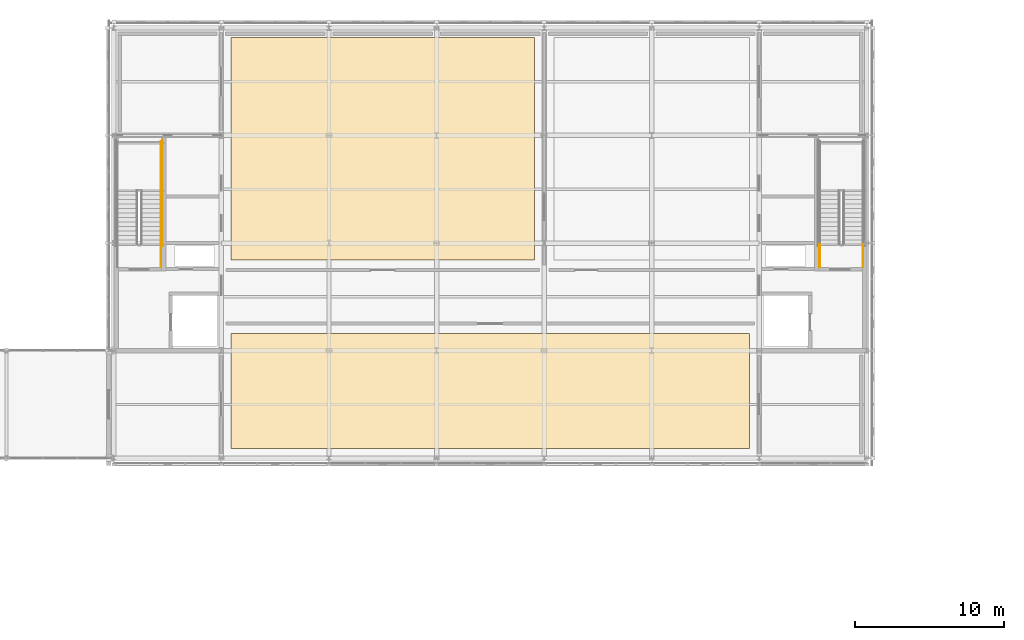
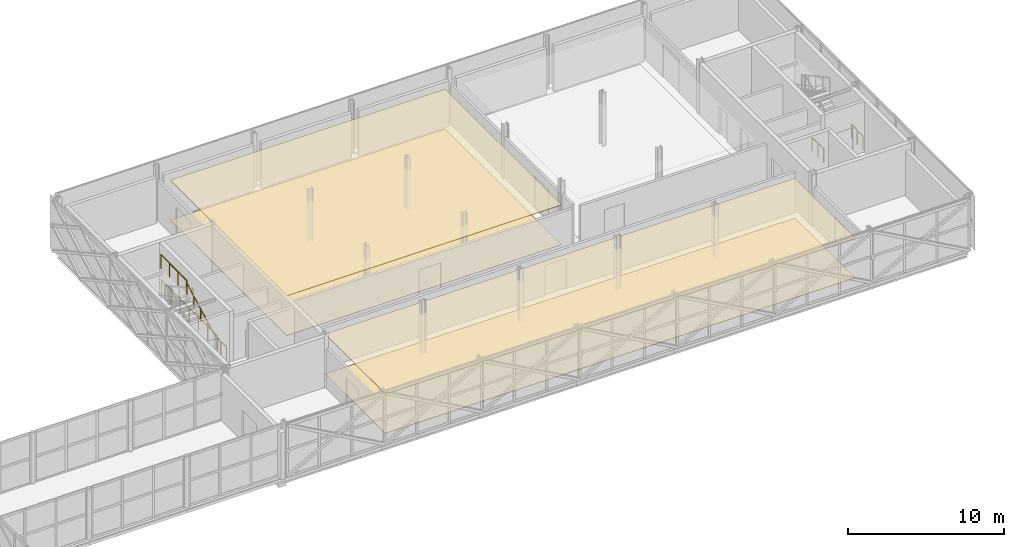
# One storey, part 101 of 103: 6 railings, 4 coverings.
"""IFC4 building model written with IfcOpenShell, lengths in metres."""

import ifcopenshell
import ifcopenshell.guid

model = None  # the IFC model being written
_history = None  # IfcOwnerHistory: only IFC2X3 demands one
_inside = {}  # id of a spatial element -> (the spatial element, [elements in it])
_under = {}  # id of a project, library or spatial element -> (it, [spatial elements below it])
_declared = {}  # id of a project -> (the project, [libraries it declares])
_typed = {}  # id of a type object -> (the type object, [elements of that type])
_made_of = {}  # id of a material, layer set ... -> (it, [elements and type objects made of it])


def new_model(schema):
    """Start an empty IFC model of exactly this schema.

    Asked for "IFC4X3", IfcOpenShell would pick the latest addendum, in which some entities
    have other attributes; the version numbers below select the first issue.
    IFC2X3 requires an IfcOwnerHistory on every rooted entity: one is made here for all.
    """
    global model, _history
    if schema == "IFC4X3":
        model = ifcopenshell.file(schema_version=(4, 3, 0, 0))
    else:
        model = ifcopenshell.file(schema=schema)
    _inside.clear()
    _under.clear()
    _declared.clear()
    _typed.clear()
    _made_of.clear()
    _history = None
    if model.schema == "IFC2X3":
        org = make("IfcOrganization", Name="unknown")
        user = make(
            "IfcPersonAndOrganization",
            ThePerson=make("IfcPerson", FamilyName="unknown"),
            TheOrganization=org,
        )
        app = make(
            "IfcApplication",
            ApplicationDeveloper=org,
            Version="unknown",
            ApplicationFullName="unknown",
            ApplicationIdentifier="unknown",
        )
        _history = make(
            "IfcOwnerHistory",
            OwningUser=user,
            OwningApplication=app,
            ChangeAction="ADDED",
            CreationDate=0,
        )
    return model


def make(cls, **values):
    """One entity of the class cls with the attributes given. An attribute that is None is left unset."""
    return model.create_entity(
        cls, **{name: value for name, value in values.items() if value is not None}
    )


def rooted(cls, **values):
    """An entity with a GlobalId (a new one), such as an element, a storey or a relation."""
    return make(cls, GlobalId=ifcopenshell.guid.new(), OwnerHistory=_history, **values)


def si_unit(unit_type, name, prefix=None):
    """IfcSIUnit, for example si_unit("LENGTHUNIT", "METRE", prefix="MILLI")."""
    return make("IfcSIUnit", UnitType=unit_type, Prefix=prefix, Name=name)


def assignment(units):
    """IfcUnitAssignment: the units of a project."""
    return None if units is None else make("IfcUnitAssignment", Units=units)


def point(xyz):
    """IfcCartesianPoint."""
    return None if xyz is None else make("IfcCartesianPoint", Coordinates=xyz)


def direction(xyz):
    """IfcDirection."""
    return None if xyz is None else make("IfcDirection", DirectionRatios=xyz)


def frame(location, z_axis=None, x_axis=None):
    """IfcAxis2Placement3D, a coordinate frame: its origin and axes. An axis left out is left unset."""
    return make(
        "IfcAxis2Placement3D",
        Location=point(location),
        Axis=direction(z_axis),
        RefDirection=direction(x_axis),
    )


def frame_2d(location, x_axis=None):
    """IfcAxis2Placement2D, a coordinate frame in the plane: its origin and x axis."""
    return make(
        "IfcAxis2Placement2D", Location=point(location), RefDirection=direction(x_axis)
    )


def origin():
    """The frame at (0, 0, 0) with its axes left unset."""
    return frame((0.0, 0.0, 0.0))


def origin_2d():
    """The frame at (0, 0) in the plane with its x axis left unset."""
    return frame_2d((0.0, 0.0))


def place(relative_to, where):
    """IfcLocalPlacement: puts the frame where relative to a parent placement (None: the world)."""
    return make(
        "IfcLocalPlacement", PlacementRelTo=relative_to, RelativePlacement=where
    )


def context(
    kind, dimensions, precision=None, world=None, true_north=None, identifier=None
):
    """IfcGeometricRepresentationContext, for example the 3D "Model" context."""
    return make(
        "IfcGeometricRepresentationContext",
        ContextIdentifier=identifier,
        ContextType=kind,
        CoordinateSpaceDimension=dimensions,
        Precision=precision,
        WorldCoordinateSystem=world,
        TrueNorth=true_north,
    )


def subcontext(parent, identifier, kind, view, scale=None):
    """IfcGeometricRepresentationSubContext, for example "Body" below "Model"."""
    return make(
        "IfcGeometricRepresentationSubContext",
        ContextIdentifier=identifier,
        ContextType=kind,
        ParentContext=parent,
        TargetScale=scale,
        TargetView=view,
    )


def project(units=None, contexts=None):
    """IfcProject with its units and contexts."""
    return rooted(
        "IfcProject",
        Name="project",
        RepresentationContexts=contexts,
        UnitsInContext=assignment(units),
    )


def spatial(cls, under=None, at=None, **own):
    """A site, building, storey or space (cls), placed at a placement, below another one or the project."""
    s = rooted(cls, ObjectPlacement=at, **own)
    if under is not None:
        _under.setdefault(under.id(), (under, []))[1].append(s)
    return s


def polyline(points):
    """IfcPolyline through the points."""
    return make("IfcPolyline", Points=[point(p) for p in points])


def profile(cls, at=None, kind="AREA", **sizes):
    """A parametric profile (cls). Its sizes go by their IFC names, for example OverallWidth=200.0."""
    return make(cls, ProfileType=kind, Position=at, **sizes)


def circle(**sizes):
    """IfcCircleProfileDef."""
    return profile("IfcCircleProfileDef", **sizes)


def outline(outer, holes=None, kind="AREA"):
    """IfcArbitraryClosedProfileDef: a profile drawn as a closed curve; with holes, ...WithVoids."""
    if holes is None:
        return make("IfcArbitraryClosedProfileDef", ProfileType=kind, OuterCurve=outer)
    return make(
        "IfcArbitraryProfileDefWithVoids",
        ProfileType=kind,
        OuterCurve=outer,
        InnerCurves=holes,
    )


def extrude(swept, where, along, depth):
    """IfcExtrudedAreaSolid: the profile swept, set in the frame where, extruded along a direction by depth."""
    return make(
        "IfcExtrudedAreaSolid",
        SweptArea=swept,
        Position=where,
        ExtrudedDirection=direction(along),
        Depth=depth,
    )


def shape(context_of_items, identifier, shape_type, items):
    """IfcShapeRepresentation: the items that make up one representation, for example the "Body"."""
    return make(
        "IfcShapeRepresentation",
        ContextOfItems=context_of_items,
        RepresentationIdentifier=identifier,
        RepresentationType=shape_type,
        Items=items,
    )


def material(Name=None, Category=None):
    """IfcMaterial."""
    return make("IfcMaterial", Name=Name, Category=Category)


def layer(
    of_material, thickness, ventilated=None, Name=None, Category=None, Priority=None
):
    """IfcMaterialLayer: one layer of a wall or slab, of a material (None: an air gap)."""
    return make(
        "IfcMaterialLayer",
        Material=of_material,
        LayerThickness=thickness,
        IsVentilated=ventilated,
        Name=Name,
        Category=Category,
        Priority=Priority,
    )


def layer_set(layers, Name=None):
    """IfcMaterialLayerSet."""
    return make("IfcMaterialLayerSet", MaterialLayers=layers, LayerSetName=Name)


def made_of(thing, what):
    """Note that an element or type object is made of a material, layer set ...; save() writes the relation."""
    if what is not None:
        _made_of.setdefault(what.id(), (what, []))[1].append(thing)
    return thing


def type_object(cls, material=None, **own):
    """A type object (cls), such as IfcWallType, which elements share."""
    return made_of(rooted(cls, **own), material)


def element(
    cls,
    number,
    at=None,
    inside=None,
    cuts=None,
    type_object=None,
    material=None,
    context=None,
    identifier="Body",
    shape_type=None,
    held_by="IfcProductDefinitionShape",
    body=None,
    shapes=None,
    **own,
):
    """One element of the class cls, such as IfcWall. Its Tag is "e" and its number.

    at: its placement. inside: the storey or other place that contains it. cuts: it is an
    opening in that element (IfcRelVoidsElement). A single representation is given by context,
    identifier, shape_type and body (its items); several are given by shapes. held_by: the class
    of the entity that holds the representations. save() writes the other relations.
    """
    e = rooted(cls, Tag="e%d" % number, ObjectPlacement=at, **own)
    if body is not None:
        shapes = [shape(context, identifier, shape_type, body)]
    if shapes is not None:
        e.Representation = make(held_by, Representations=shapes)
    if inside is not None:
        _inside.setdefault(inside.id(), (inside, []))[1].append(e)
    if cuts is not None:
        rooted(
            "IfcRelVoidsElement", RelatingBuildingElement=cuts, RelatedOpeningElement=e
        )
    if type_object is not None:
        _typed.setdefault(type_object.id(), (type_object, []))[1].append(e)
    return made_of(e, material)


def aggregate(whole, parts):
    """IfcRelAggregates: a whole, such as a stair, and the parts it consists of."""
    return rooted("IfcRelAggregates", RelatingObject=whole, RelatedObjects=parts)


def save(model, path):
    """Write the relations noted so far, then the file.

    IfcRelAggregates (storeys below a building ...), IfcRelContainedInSpatialStructure (elements
    in a storey), IfcRelDefinesByType, IfcRelAssociatesMaterial and IfcRelDeclares: one each for
    every whole, place, type object, material and project.
    """
    for whole, parts in _under.values():
        aggregate(whole, parts)
    for where, things in _inside.values():
        rooted(
            "IfcRelContainedInSpatialStructure",
            RelatedElements=things,
            RelatingStructure=where,
        )
    for kind, things in _typed.values():
        rooted("IfcRelDefinesByType", RelatedObjects=things, RelatingType=kind)
    for what, things in _made_of.values():
        rooted("IfcRelAssociatesMaterial", RelatedObjects=things, RelatingMaterial=what)
    for by, libraries in _declared.values():
        rooted("IfcRelDeclares", RelatingContext=by, RelatedDefinitions=libraries)
    model.write(path)


model = new_model("IFC4")

# Units and contexts
model_context = context("Model", 3, precision=1e-05, world=origin(), true_north=direction((0.0, 1.0)))
body_context = subcontext(model_context, "Body", "Model", "MODEL_VIEW")
ifc_project = project(units=[si_unit("LENGTHUNIT", "METRE"), si_unit("AREAUNIT", "SQUARE_METRE"), si_unit("VOLUMEUNIT", "CUBIC_METRE"), si_unit("PLANEANGLEUNIT", "RADIAN"), si_unit("MASSUNIT", "GRAM", prefix="KILO")], contexts=[model_context])

# Site, building, storey
site_placement = place(None, origin())
site = spatial("IfcSite", under=ifc_project, at=site_placement, CompositionType="ELEMENT")
building_placement = place(site_placement, origin())
building = spatial("IfcBuilding", under=site, at=building_placement, Name="Zlatovets Crest Museum", CompositionType="ELEMENT")
storey_placement = place(building_placement, frame((0.0, 0.0, 12.89990234375)))
storey = spatial("IfcBuildingStorey", under=building, at=storey_placement, Name="L03", CompositionType="ELEMENT", Elevation=12.89990234375)

# Coverings
ifc_material_1 = material(Name="Micro-perforated gypsum acoustic gallery ceiling")
ifc_layer_1 = layer(ifc_material_1, 0.050048828125)
ifc_layer_set_1 = layer_set([ifc_layer_1], Name="Micro-perforated gypsum acoustic gallery ceiling")
covering_type_1 = type_object("IfcCoveringType", Name="GalleryCeiling_CLG1", PredefinedType="CEILING", material=ifc_layer_set_1)
covering_1_placement = place(storey_placement, frame((0.0, 0.0, 3.090087890625)))
element("IfcCovering", 1, at=covering_1_placement, inside=storey, type_object=covering_type_1, Name="Balkan Textile and Silverware Salon Acoustic Ceiling", PredefinedType="CEILING", context=body_context, shape_type="SweptSolid", body=[
    extrude(outline(polyline([(65.449951171875, 87.050048828125), (100.14990234375, 87.050048828125), (100.14990234375, 94.75), (65.449951171875, 94.75), (65.449951171875, 87.050048828125)])), origin(), (0.0, 0.0, 1.0), 0.050048828125),
])
covering_2_placement = place(storey_placement, frame((0.0, 0.0, 3.090087890625)))
element("IfcCovering", 2, at=covering_2_placement, inside=storey, type_object=covering_type_1, Name="Modernist Landscape Painting Gallery Acoustic Ceiling", PredefinedType="CEILING", context=body_context, shape_type="SweptSolid", body=[
    extrude(outline(polyline([(65.449951171875, 99.64990234375), (85.75, 99.64990234375), (85.75, 114.550048828125), (65.449951171875, 114.550048828125), (65.449951171875, 99.64990234375)])), origin(), (0.0, 0.0, 1.0), 0.050048828125),
])
ifc_material_2 = material(Name="Quarter-sawn European oak herringbone gallery parquet")
ifc_layer_2 = layer(ifc_material_2, 0.030029296875)
ifc_layer_set_2 = layer_set([ifc_layer_2], Name="Quarter-sawn European oak herringbone gallery parquet")
covering_type_2 = type_object("IfcCoveringType", Name="GalleryFloor_FLR1", PredefinedType="FLOORING", material=ifc_layer_set_2)
covering_3_placement = place(storey_placement, origin())
element("IfcCovering", 3, at=covering_3_placement, inside=storey, type_object=covering_type_2, Name="Balkan Textile and Silverware Salon Floor Finish", PredefinedType="FLOORING", context=body_context, shape_type="SweptSolid", body=[
    extrude(outline(polyline([(65.449951171875, 87.050048828125), (100.14990234375, 87.050048828125), (100.14990234375, 94.75), (65.449951171875, 94.75), (65.449951171875, 87.050048828125)])), origin(), (0.0, 0.0, 1.0), 0.030029296875),
])
covering_4_placement = place(storey_placement, origin())
element("IfcCovering", 4, at=covering_4_placement, inside=storey, type_object=covering_type_2, Name="Modernist Landscape Painting Gallery Floor Finish", PredefinedType="FLOORING", context=body_context, shape_type="SweptSolid", body=[
    extrude(outline(polyline([(65.449951171875, 99.64990234375), (85.75, 99.64990234375), (85.75, 114.550048828125), (65.449951171875, 114.550048828125), (65.449951171875, 99.64990234375)])), origin(), (0.0, 0.0, 1.0), 0.030029296875),
])

# Railings
ifc_material_3 = material(Name="Painted steel safety guardrail", Category="steel")
railing_type_1 = type_object("IfcRailingType", Name="StairGuard_SG01", PredefinedType="GUARDRAIL", material=ifc_material_3)
railing_1_placement = place(storey_placement, frame((60.75, 104.300048828125, 2.10009765625)))
element("IfcRailing", 5, at=railing_1_placement, inside=storey, type_object=railing_type_1, Name="L03 ST1 stair guard 3", PredefinedType="GUARDRAIL", context=body_context, shape_type="SweptSolid", body=[
    extrude(circle(Radius=0.02392578125, at=origin_2d()), frame((0.0, 0.0, 1.076171875), z_axis=(0.0, 1.0, 0.0), x_axis=(-1.0, 0.0, 0.0)), (0.0, 0.0, 1.0), 3.300048828125),
    extrude(circle(Radius=0.02099609375, at=origin_2d()), origin(), (0.0, 0.0, 1.0), 1.052001953125),
    extrude(circle(Radius=0.02099609375, at=origin_2d()), frame((0.0, 1.10009765625, 0.0)), (0.0, 0.0, 1.0), 1.052001953125),
    extrude(circle(Radius=0.02099609375, at=origin_2d()), frame((0.0, 2.199951171875, 0.0)), (0.0, 0.0, 1.0), 1.052001953125),
    extrude(circle(Radius=0.02099609375, at=origin_2d()), frame((0.0, 3.300048828125, 0.0)), (0.0, 0.0, 1.0), 1.052001953125),
])
railing_2_placement = place(storey_placement, frame((60.75, 99.199951171875, 0.0)))
element("IfcRailing", 6, at=railing_2_placement, inside=storey, type_object=railing_type_1, Name="L03 ST1 stair guard 7", PredefinedType="GUARDRAIL", context=body_context, shape_type="SweptSolid", body=[
    extrude(circle(Radius=0.02392578125, at=origin_2d()), frame((0.0, 0.0, 1.076171875), z_axis=(0.0, 1.0, 0.0), x_axis=(-1.0, 0.0, 0.0)), (0.0, 0.0, 1.0), 1.5),
    extrude(circle(Radius=0.02099609375, at=origin_2d()), origin(), (0.0, 0.0, 1.0), 1.052001953125),
    extrude(circle(Radius=0.02099609375, at=origin_2d()), frame((0.0, 0.75, 0.0)), (0.0, 0.0, 1.0), 1.052001953125),
    extrude(circle(Radius=0.02099609375, at=origin_2d()), frame((0.0, 1.5, 0.0)), (0.0, 0.0, 1.0), 1.052001953125),
])
railing_3_placement = place(storey_placement, frame((60.85009765625, 100.60009765625, 0.0)))
element("IfcRailing", 7, at=railing_3_placement, inside=storey, type_object=railing_type_1, Name="L03 ST1 stair guard 9", PredefinedType="GUARDRAIL", context=body_context, shape_type="SweptSolid", body=[
    extrude(circle(Radius=0.02392578125, at=origin_2d()), frame((0.0, 0.0, 1.076171875), z_axis=(0.0, 1.0, 0.0), x_axis=(-1.0, 0.0, 0.0)), (0.0, 0.0, 1.0), 7.099853515625),
    extrude(circle(Radius=0.02099609375, at=origin_2d()), origin(), (0.0, 0.0, 1.0), 1.052001953125),
    extrude(circle(Radius=0.02099609375, at=origin_2d()), frame((0.0, 1.183349609375, 0.0)), (0.0, 0.0, 1.0), 1.052001953125),
    extrude(circle(Radius=0.02099609375, at=origin_2d()), frame((0.0, 2.36669921875, 0.0)), (0.0, 0.0, 1.0), 1.052001953125),
    extrude(circle(Radius=0.02099609375, at=origin_2d()), frame((0.0, 3.5498046875, 0.0)), (0.0, 0.0, 1.0), 1.052001953125),
    extrude(circle(Radius=0.02099609375, at=origin_2d()), frame((0.0, 4.733154296875, 0.0)), (0.0, 0.0, 1.0), 1.052001953125),
    extrude(circle(Radius=0.02099609375, at=origin_2d()), frame((0.0, 5.91650390625, 0.0)), (0.0, 0.0, 1.0), 1.052001953125),
    extrude(circle(Radius=0.02099609375, at=origin_2d()), frame((0.0, 7.099853515625, 0.0)), (0.0, 0.0, 1.0), 1.052001953125),
])
for number, where, name in (
    (8, (107.75, 99.199951171875, 0.0), "L03 ST7 stair guard 7"),
    (9, (104.85009765625, 99.199951171875, 0.0), "L03 ST7 stair guard 8"),
):
    element("IfcRailing", number, at=place(storey_placement, frame(where)), inside=storey, type_object=railing_type_1, Name=name, PredefinedType="GUARDRAIL", context=body_context, shape_type="SweptSolid", body=[
        extrude(circle(Radius=0.02392578125, at=origin_2d()), frame((0.0, 0.0, 1.076171875), z_axis=(0.0, 1.0, 0.0), x_axis=(-1.0, 0.0, 0.0)), (0.0, 0.0, 1.0), 1.5),
        extrude(circle(Radius=0.02099609375, at=origin_2d()), origin(), (0.0, 0.0, 1.0), 1.052001953125),
        extrude(circle(Radius=0.02099609375, at=origin_2d()), frame((0.0, 0.75, 0.0)), (0.0, 0.0, 1.0), 1.052001953125),
        extrude(circle(Radius=0.02099609375, at=origin_2d()), frame((0.0, 1.5, 0.0)), (0.0, 0.0, 1.0), 1.052001953125),
    ])
ifc_material_4 = material(Name="Brushed bronze stair handrail")
railing_type_2 = type_object("IfcRailingType", Name="StairHandrail_SH01", PredefinedType="HANDRAIL", material=ifc_material_4)
railing_4_placement = place(storey_placement, frame((60.75, 100.699951171875, 0.16162109375)))
element("IfcRailing", 10, at=railing_4_placement, inside=storey, type_object=railing_type_2, Name="L03 ST1 stair handrail 1", PredefinedType="HANDRAIL", context=body_context, shape_type="SweptSolid", body=[
    extrude(circle(Radius=0.02392578125, at=origin_2d()), frame((0.0, 0.0, 0.8759765625), z_axis=(0.0, 0.880474934443, 0.474092701714), x_axis=(-1.0, 0.0, 0.0)), (0.0, 0.0, 1.0), 4.0888671875),
    extrude(circle(Radius=0.02099609375, at=origin_2d()), origin(), (0.0, 0.0, 1.0), 0.851806640625),
    extrude(circle(Radius=0.02099609375, at=origin_2d()), frame((0.0, 0.89990234375, 0.484619140625)), (0.0, 0.0, 1.0), 0.851806640625),
    extrude(circle(Radius=0.02099609375, at=origin_2d()), frame((0.0, 1.800048828125, 0.96923828125)), (0.0, 0.0, 1.0), 0.851806640625),
    extrude(circle(Radius=0.02099609375, at=origin_2d()), frame((0.0, 2.7001953125, 1.453857421875)), (0.0, 0.0, 1.0), 0.851806640625),
    extrude(circle(Radius=0.02099609375, at=origin_2d()), frame((0.0, 3.60009765625, 1.9384765625)), (0.0, 0.0, 1.0), 0.851806640625),
])

save(model, "model.ifc")
